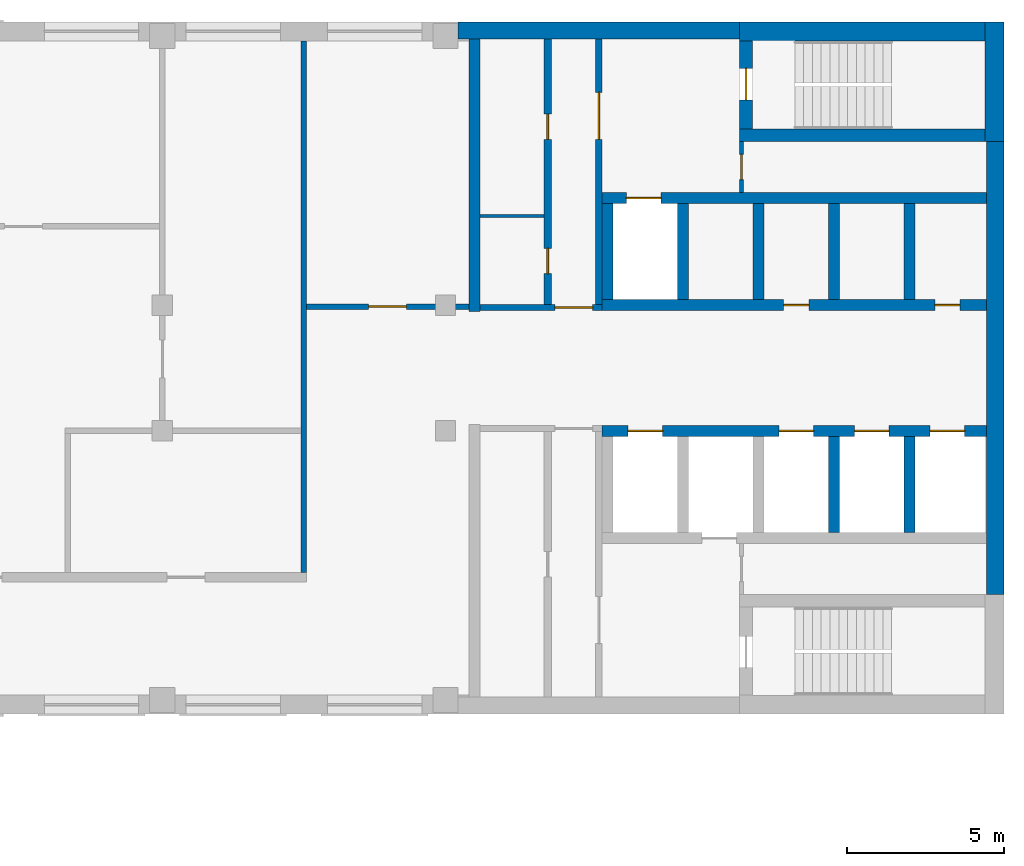
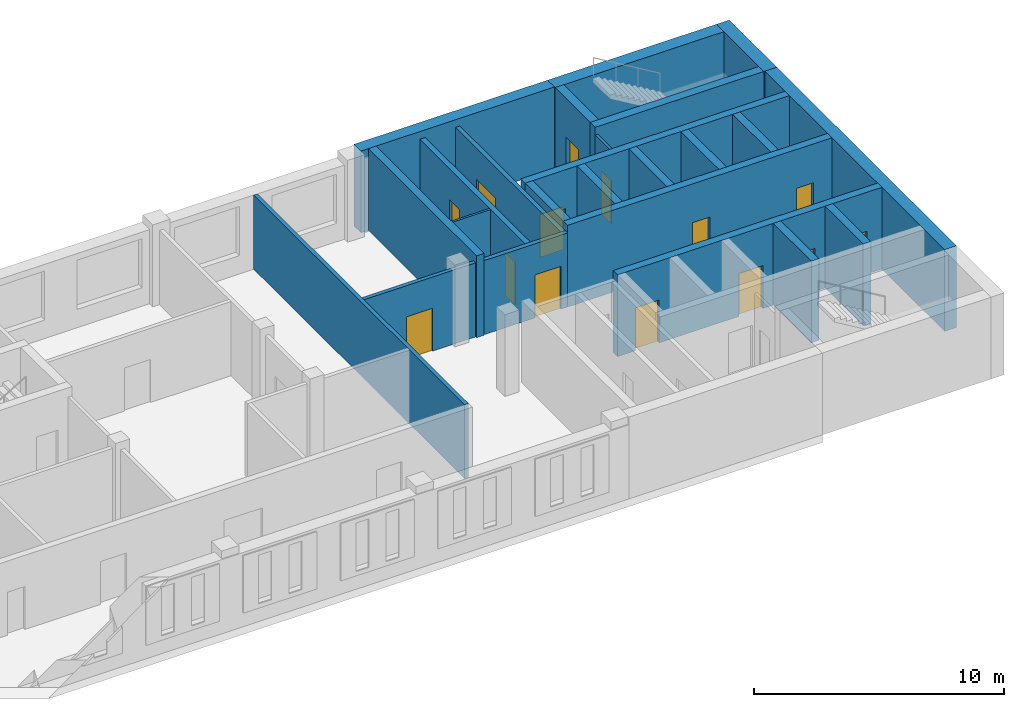
# One storey, part 6 of 8: 24 walls, 14 doors, 14 openings.
"""IFC4 building model written with IfcOpenShell, lengths in metres."""

import ifcopenshell
import ifcopenshell.guid

model = None  # the IFC model being written
_history = None  # IfcOwnerHistory: only IFC2X3 demands one
_inside = {}  # id of a spatial element -> (the spatial element, [elements in it])
_under = {}  # id of a project, library or spatial element -> (it, [spatial elements below it])
_declared = {}  # id of a project -> (the project, [libraries it declares])
_typed = {}  # id of a type object -> (the type object, [elements of that type])
_made_of = {}  # id of a material, layer set ... -> (it, [elements and type objects made of it])


def new_model(schema):
    """Start an empty IFC model of exactly this schema.

    Asked for "IFC4X3", IfcOpenShell would pick the latest addendum, in which some entities
    have other attributes; the version numbers below select the first issue.
    IFC2X3 requires an IfcOwnerHistory on every rooted entity: one is made here for all.
    """
    global model, _history
    if schema == "IFC4X3":
        model = ifcopenshell.file(schema_version=(4, 3, 0, 0))
    else:
        model = ifcopenshell.file(schema=schema)
    _inside.clear()
    _under.clear()
    _declared.clear()
    _typed.clear()
    _made_of.clear()
    _history = None
    if model.schema == "IFC2X3":
        org = make("IfcOrganization", Name="unknown")
        user = make(
            "IfcPersonAndOrganization",
            ThePerson=make("IfcPerson", FamilyName="unknown"),
            TheOrganization=org,
        )
        app = make(
            "IfcApplication",
            ApplicationDeveloper=org,
            Version="unknown",
            ApplicationFullName="unknown",
            ApplicationIdentifier="unknown",
        )
        _history = make(
            "IfcOwnerHistory",
            OwningUser=user,
            OwningApplication=app,
            ChangeAction="ADDED",
            CreationDate=0,
        )
    return model


def make(cls, **values):
    """One entity of the class cls with the attributes given. An attribute that is None is left unset."""
    return model.create_entity(
        cls, **{name: value for name, value in values.items() if value is not None}
    )


def rooted(cls, **values):
    """An entity with a GlobalId (a new one), such as an element, a storey or a relation."""
    return make(cls, GlobalId=ifcopenshell.guid.new(), OwnerHistory=_history, **values)


def si_unit(unit_type, name, prefix=None):
    """IfcSIUnit, for example si_unit("LENGTHUNIT", "METRE", prefix="MILLI")."""
    return make("IfcSIUnit", UnitType=unit_type, Prefix=prefix, Name=name)


def assignment(units):
    """IfcUnitAssignment: the units of a project."""
    return None if units is None else make("IfcUnitAssignment", Units=units)


def point(xyz):
    """IfcCartesianPoint."""
    return None if xyz is None else make("IfcCartesianPoint", Coordinates=xyz)


def direction(xyz):
    """IfcDirection."""
    return None if xyz is None else make("IfcDirection", DirectionRatios=xyz)


def frame(location, z_axis=None, x_axis=None):
    """IfcAxis2Placement3D, a coordinate frame: its origin and axes. An axis left out is left unset."""
    return make(
        "IfcAxis2Placement3D",
        Location=point(location),
        Axis=direction(z_axis),
        RefDirection=direction(x_axis),
    )


def frame_2d(location, x_axis=None):
    """IfcAxis2Placement2D, a coordinate frame in the plane: its origin and x axis."""
    return make(
        "IfcAxis2Placement2D", Location=point(location), RefDirection=direction(x_axis)
    )


def origin():
    """The frame at (0, 0, 0) with its axes left unset."""
    return frame((0.0, 0.0, 0.0))


def place(relative_to, where):
    """IfcLocalPlacement: puts the frame where relative to a parent placement (None: the world)."""
    return make(
        "IfcLocalPlacement", PlacementRelTo=relative_to, RelativePlacement=where
    )


def context(
    kind, dimensions, precision=None, world=None, true_north=None, identifier=None
):
    """IfcGeometricRepresentationContext, for example the 3D "Model" context."""
    return make(
        "IfcGeometricRepresentationContext",
        ContextIdentifier=identifier,
        ContextType=kind,
        CoordinateSpaceDimension=dimensions,
        Precision=precision,
        WorldCoordinateSystem=world,
        TrueNorth=true_north,
    )


def subcontext(parent, identifier, kind, view, scale=None):
    """IfcGeometricRepresentationSubContext, for example "Body" below "Model"."""
    return make(
        "IfcGeometricRepresentationSubContext",
        ContextIdentifier=identifier,
        ContextType=kind,
        ParentContext=parent,
        TargetScale=scale,
        TargetView=view,
    )


def project(units=None, contexts=None):
    """IfcProject with its units and contexts."""
    return rooted(
        "IfcProject",
        Name="project",
        RepresentationContexts=contexts,
        UnitsInContext=assignment(units),
    )


def spatial(cls, under=None, at=None, **own):
    """A site, building, storey or space (cls), placed at a placement, below another one or the project."""
    s = rooted(cls, ObjectPlacement=at, **own)
    if under is not None:
        _under.setdefault(under.id(), (under, []))[1].append(s)
    return s


def profile(cls, at=None, kind="AREA", **sizes):
    """A parametric profile (cls). Its sizes go by their IFC names, for example OverallWidth=200.0."""
    return make(cls, ProfileType=kind, Position=at, **sizes)


def rectangle(**sizes):
    """IfcRectangleProfileDef."""
    return profile("IfcRectangleProfileDef", **sizes)


def extrude(swept, where, along, depth):
    """IfcExtrudedAreaSolid: the profile swept, set in the frame where, extruded along a direction by depth."""
    return make(
        "IfcExtrudedAreaSolid",
        SweptArea=swept,
        Position=where,
        ExtrudedDirection=direction(along),
        Depth=depth,
    )


def shape(context_of_items, identifier, shape_type, items):
    """IfcShapeRepresentation: the items that make up one representation, for example the "Body"."""
    return make(
        "IfcShapeRepresentation",
        ContextOfItems=context_of_items,
        RepresentationIdentifier=identifier,
        RepresentationType=shape_type,
        Items=items,
    )


def material(Name=None, Category=None):
    """IfcMaterial."""
    return make("IfcMaterial", Name=Name, Category=Category)


def layer(
    of_material, thickness, ventilated=None, Name=None, Category=None, Priority=None
):
    """IfcMaterialLayer: one layer of a wall or slab, of a material (None: an air gap)."""
    return make(
        "IfcMaterialLayer",
        Material=of_material,
        LayerThickness=thickness,
        IsVentilated=ventilated,
        Name=Name,
        Category=Category,
        Priority=Priority,
    )


def layer_set(layers, Name=None):
    """IfcMaterialLayerSet."""
    return make("IfcMaterialLayerSet", MaterialLayers=layers, LayerSetName=Name)


def made_of(thing, what):
    """Note that an element or type object is made of a material, layer set ...; save() writes the relation."""
    if what is not None:
        _made_of.setdefault(what.id(), (what, []))[1].append(thing)
    return thing


def type_object(cls, material=None, **own):
    """A type object (cls), such as IfcWallType, which elements share."""
    return made_of(rooted(cls, **own), material)


def element(
    cls,
    number,
    at=None,
    inside=None,
    cuts=None,
    type_object=None,
    material=None,
    context=None,
    identifier="Body",
    shape_type=None,
    held_by="IfcProductDefinitionShape",
    body=None,
    shapes=None,
    **own,
):
    """One element of the class cls, such as IfcWall. Its Tag is "e" and its number.

    at: its placement. inside: the storey or other place that contains it. cuts: it is an
    opening in that element (IfcRelVoidsElement). A single representation is given by context,
    identifier, shape_type and body (its items); several are given by shapes. held_by: the class
    of the entity that holds the representations. save() writes the other relations.
    """
    e = rooted(cls, Tag="e%d" % number, ObjectPlacement=at, **own)
    if body is not None:
        shapes = [shape(context, identifier, shape_type, body)]
    if shapes is not None:
        e.Representation = make(held_by, Representations=shapes)
    if inside is not None:
        _inside.setdefault(inside.id(), (inside, []))[1].append(e)
    if cuts is not None:
        rooted(
            "IfcRelVoidsElement", RelatingBuildingElement=cuts, RelatedOpeningElement=e
        )
    if type_object is not None:
        _typed.setdefault(type_object.id(), (type_object, []))[1].append(e)
    return made_of(e, material)


def fill(opening, filler):
    """IfcRelFillsElement: the door or window that sits in an opening."""
    return rooted(
        "IfcRelFillsElement",
        RelatingOpeningElement=opening,
        RelatedBuildingElement=filler,
    )


def aggregate(whole, parts):
    """IfcRelAggregates: a whole, such as a stair, and the parts it consists of."""
    return rooted("IfcRelAggregates", RelatingObject=whole, RelatedObjects=parts)


def save(model, path):
    """Write the relations noted so far, then the file.

    IfcRelAggregates (storeys below a building ...), IfcRelContainedInSpatialStructure (elements
    in a storey), IfcRelDefinesByType, IfcRelAssociatesMaterial and IfcRelDeclares: one each for
    every whole, place, type object, material and project.
    """
    for whole, parts in _under.values():
        aggregate(whole, parts)
    for where, things in _inside.values():
        rooted(
            "IfcRelContainedInSpatialStructure",
            RelatedElements=things,
            RelatingStructure=where,
        )
    for kind, things in _typed.values():
        rooted("IfcRelDefinesByType", RelatedObjects=things, RelatingType=kind)
    for what, things in _made_of.values():
        rooted("IfcRelAssociatesMaterial", RelatedObjects=things, RelatingMaterial=what)
    for by, libraries in _declared.values():
        rooted("IfcRelDeclares", RelatingContext=by, RelatedDefinitions=libraries)
    model.write(path)


model = new_model("IFC4")

# Units and contexts
model_context = context("Model", 3, precision=1e-05, world=origin(), true_north=direction((0.0, 1.0)))
body_context = subcontext(model_context, "Body", "Model", "MODEL_VIEW")
ifc_project = project(units=[si_unit("LENGTHUNIT", "METRE"), si_unit("AREAUNIT", "SQUARE_METRE"), si_unit("VOLUMEUNIT", "CUBIC_METRE"), si_unit("PLANEANGLEUNIT", "RADIAN"), si_unit("MASSUNIT", "GRAM", prefix="KILO")], contexts=[model_context])

# Site, building, storey
site_placement = place(None, origin())
site = spatial("IfcSite", under=ifc_project, at=site_placement, CompositionType="ELEMENT")
building_placement = place(site_placement, origin())
building = spatial("IfcBuilding", under=site, at=building_placement, Name="Skarvind Civic Tower", CompositionType="ELEMENT")
storey_placement = place(building_placement, frame((0.0, 0.0, 162.5)))
storey = spatial("IfcBuildingStorey", under=building, at=storey_placement, Name="L38", CompositionType="ELEMENT", Elevation=162.5)

# Wall
ifc_material_1 = material(Name="Acoustic gypsum board on steel studs", Category="steel")
ifc_layer_1 = layer(ifc_material_1, 0.175048828125)
ifc_layer_set_1 = layer_set([ifc_layer_1], Name="ACOUSTIC MEETING-ROOM PARTITION 175")
wall_type_1 = type_object("IfcWallType", Name="ACOUSTIC MEETING-ROOM PARTITION 175", PredefinedType="PARTITIONING", material=ifc_layer_set_1)
wall_1_placement = place(storey_placement, frame((85.75, 121.5, 0.0), z_axis=(0.0, 0.0, 1.0), x_axis=(0.0, 1.0, 0.0)))
element("IfcWall", 1, at=wall_1_placement, inside=storey, type_object=wall_type_1, Name="Partition 38.039", PredefinedType="PARTITIONING", context=body_context, shape_type="SweptSolid", body=[
    extrude(rectangle(XDim=16.89990234375, YDim=0.175048828125, at=frame_2d((8.449951171875, 0.0))), origin(), (0.0, 0.0, 1.0), 3.625),
])

# Wall, opening, door
wall_2_placement = place(storey_placement, frame((85.837890625, 129.949951171875, 0.0), z_axis=(0.0, 0.0, 1.0), x_axis=(1.0, 0.0, 0.0)))
wall_2 = element("IfcWall", 2, at=wall_2_placement, inside=storey, type_object=wall_type_1, Name="Partition 38.040", PredefinedType="PARTITIONING", context=body_context, shape_type="SweptSolid", body=[
    extrude(rectangle(XDim=5.162109375, YDim=0.175048828125, at=frame_2d((2.5810546875, 0.0))), origin(), (0.0, 0.0, 1.0), 3.625),
])
opening_1_placement = place(wall_2_placement, frame((1.970947265625, 0.0, 0.0)))
opening_1 = element("IfcOpeningElement", 3, at=opening_1_placement, cuts=wall_2, Name="Opening L38-D001", PredefinedType="OPENING", context=body_context, shape_type="SweptSolid", body=[
    extrude(rectangle(XDim=1.199951171875, YDim=2.10009765625, at=frame_2d((0.60009765625, 1.050048828125))), frame((0.0, 0.097412109375, 0.0), z_axis=(0.0, -1.0, 0.0), x_axis=(1.0, 0.0, 0.0)), (0.0, 0.0, 1.0), 0.195068359375),
])
ifc_material_2 = material(Name="Timber door leaf", Category="wood")
door_type_1 = type_object("IfcDoorType", Name="DOOR 1200X2100 DOUBLE TIMBER", OperationType="NOTDEFINED", PredefinedType="DOOR", material=ifc_material_2)
door_1_placement = place(opening_1_placement, origin())
door_1 = element("IfcDoor", 4, at=door_1_placement, inside=storey, type_object=door_type_1, Name="Door L38-D001", OperationType="DOUBLE_DOOR_SINGLE_SWING", OverallHeight=2.10009765625, OverallWidth=1.199951171875, PredefinedType="DOOR", context=body_context, shape_type="SweptSolid", body=[
    extrude(rectangle(XDim=1.199951171875, YDim=2.10009765625, at=frame_2d((0.60009765625, 1.050048828125))), frame((0.0, 0.02490234375, 0.0), z_axis=(0.0, -1.0, 0.0), x_axis=(1.0, 0.0, 0.0)), (0.0, 0.0, 1.0), 0.050048828125),
])
fill(opening_1, door_1)

ifc_material_3 = material(Name="Fire-rated masonry partition", Category="masonry")
ifc_layer_2 = layer(ifc_material_3, 0.199951171875)
ifc_layer_set_2 = layer_set([ifc_layer_2], Name="Core enclosure wall 200")
wall_type_2 = type_object("IfcWallType", Name="Core enclosure wall 200", PredefinedType="PARTITIONING", material=ifc_layer_set_2)
wall_3_placement = place(storey_placement, frame((91.35009765625, 129.925048828125, 0.0), z_axis=(0.0, 0.0, 1.0), x_axis=(1.0, 0.0, 0.0)))
wall_3 = element("IfcWall", 5, at=wall_3_placement, inside=storey, type_object=wall_type_2, Name="Core wall C1", PredefinedType="PARTITIONING", context=body_context, shape_type="SweptSolid", body=[
    extrude(rectangle(XDim=3.875, YDim=0.199951171875, at=frame_2d((1.9375, 0.0))), origin(), (0.0, 0.0, 1.0), 3.625),
])
opening_2_placement = place(wall_3_placement, frame((2.375, 0.0, 0.0)))
opening_2 = element("IfcOpeningElement", 6, at=opening_2_placement, cuts=wall_3, Name="Opening D-L38-C1-12", PredefinedType="OPENING", context=body_context, shape_type="SweptSolid", body=[
    extrude(rectangle(XDim=1.199951171875, YDim=2.10009765625, at=frame_2d((0.60009765625, 1.050048828125))), frame((0.0, 0.10986328125, 0.0), z_axis=(0.0, -1.0, 0.0), x_axis=(1.0, 0.0, 0.0)), (0.0, 0.0, 1.0), 0.219970703125),
])
ifc_material_4 = material(Name="Fire-rated steel door", Category="steel")
door_type_2 = type_object("IfcDoorType", Name="Core lobby door 1200", OperationType="NOTDEFINED", PredefinedType="DOOR", material=ifc_material_4)
door_2_placement = place(opening_2_placement, origin())
door_2 = element("IfcDoor", 7, at=door_2_placement, inside=storey, type_object=door_type_2, Name="Fire door", OperationType="DOUBLE_DOOR_SINGLE_SWING", OverallHeight=2.10009765625, OverallWidth=1.199951171875, PredefinedType="DOOR", context=body_context, shape_type="SweptSolid", body=[
    extrude(rectangle(XDim=1.199951171875, YDim=2.10009765625, at=frame_2d((0.60009765625, 1.050048828125))), frame((0.0, 0.02490234375, 0.0), z_axis=(0.0, -1.0, 0.0), x_axis=(1.0, 0.0, 0.0)), (0.0, 0.0, 1.0), 0.050048828125),
])
fill(opening_2, door_2)

wall_4_placement = place(storey_placement, frame((95.125, 130.02490234375, 0.0), z_axis=(0.0, 0.0, 1.0), x_axis=(0.0, 1.0, 0.0)))
wall_4 = element("IfcWall", 8, at=wall_4_placement, inside=storey, type_object=wall_type_2, Name="Core wall C1", PredefinedType="PARTITIONING", context=body_context, shape_type="SweptSolid", body=[
    extrude(rectangle(XDim=8.425048828125, YDim=0.199951171875, at=frame_2d((4.21240234375, 0.0))), origin(), (0.0, 0.0, 1.0), 3.625),
])
opening_3_placement = place(wall_4_placement, frame((5.237548828125, 0.0, 0.0)))
opening_3 = element("IfcOpeningElement", 9, at=opening_3_placement, cuts=wall_4, Name="Opening D-L38-C1-13", PredefinedType="OPENING", context=body_context, shape_type="SweptSolid", body=[
    extrude(rectangle(XDim=1.5, YDim=2.10009765625, at=frame_2d((0.75, 1.050048828125))), frame((0.0, 0.10986328125, 0.0), z_axis=(0.0, -1.0, 0.0), x_axis=(1.0, 0.0, 0.0)), (0.0, 0.0, 1.0), 0.219970703125),
])
door_type_3 = type_object("IfcDoorType", Name="Fire door 1500", OperationType="NOTDEFINED", PredefinedType="DOOR", material=ifc_material_4)
door_3_placement = place(opening_3_placement, origin())
door_3 = element("IfcDoor", 10, at=door_3_placement, inside=storey, type_object=door_type_3, Name="Fire door", OperationType="DOUBLE_DOOR_SINGLE_SWING", OverallHeight=2.10009765625, OverallWidth=1.5, PredefinedType="DOOR", context=body_context, shape_type="SweptSolid", body=[
    extrude(rectangle(XDim=1.5, YDim=2.10009765625, at=frame_2d((0.75, 1.050048828125))), frame((0.0, 0.02490234375, 0.0), z_axis=(0.0, -1.0, 0.0), x_axis=(1.0, 0.0, 0.0)), (0.0, 0.0, 1.0), 0.050048828125),
])
fill(opening_3, door_3)

# Wall
ifc_material_5 = material(Name="Fire-rated plasterboard partition")
ifc_layer_3 = layer(ifc_material_5, 0.10009765625)
ifc_layer_set_3 = layer_set([ifc_layer_3], Name="Core partition wall 100")
wall_type_3 = type_object("IfcWallType", Name="Core partition wall 100", PredefinedType="PARTITIONING", material=ifc_layer_set_3)
wall_5_placement = place(storey_placement, frame((91.35009765625, 132.830078125, 0.0), z_axis=(0.0, 0.0, 1.0), x_axis=(1.0, 0.0, 0.0)))
element("IfcWall", 11, at=wall_5_placement, inside=storey, type_object=wall_type_3, Name="Core wall C1", PredefinedType="PARTITIONING", context=body_context, shape_type="SweptSolid", body=[
    extrude(rectangle(XDim=2.02490234375, YDim=0.10009765625, at=frame_2d((1.012451171875, 0.0))), origin(), (0.0, 0.0, 1.0), 3.625),
])

# Wall, openings, doors
ifc_material_6 = material(Name="Concrete C60", Category="concrete")
ifc_layer_4 = layer(ifc_material_6, 0.35009765625)
ifc_layer_set_4 = layer_set([ifc_layer_4], Name="Core wall 350 C60")
wall_type_4 = type_object("IfcWallType", Name="Core wall 350 C60", PredefinedType="SHEAR", material=ifc_layer_set_4)
wall_6_placement = place(storey_placement, frame((107.449951171875, 130.0, 0.0), z_axis=(0.0, 0.0, 1.0), x_axis=(-1.0, 0.0, 0.0)))
wall_6 = element("IfcWall", 12, at=wall_6_placement, inside=storey, type_object=wall_type_4, Name="Core wall C1 south lift row front L38", PredefinedType="SHEAR", context=body_context, shape_type="SweptSolid", body=[
    extrude(rectangle(XDim=12.224853515625, YDim=0.35009765625, at=frame_2d((6.1123046875, 0.0))), origin(), (0.0, 0.0, 1.0), 4.0),
])
opening_4_placement = place(wall_6_placement, frame((0.85009765625, 0.0, 0.0)))
opening_4 = element("IfcOpeningElement", 13, at=opening_4_placement, cuts=wall_6, Name="Opening D-L38-C1-05", PredefinedType="OPENING", context=body_context, shape_type="SweptSolid", body=[
    extrude(rectangle(XDim=0.800048828125, YDim=2.10009765625, at=frame_2d((0.39990234375, 1.050048828125))), frame((0.0, 0.18505859375, 0.0), z_axis=(0.0, -1.0, 0.0), x_axis=(1.0, 0.0, 0.0)), (0.0, 0.0, 1.0), 0.3701171875),
])
opening_5_placement = place(wall_6_placement, frame((5.64990234375, 0.0, 0.0)))
opening_5 = element("IfcOpeningElement", 14, at=opening_5_placement, cuts=wall_6, Name="Opening D-L38-C1-06", PredefinedType="OPENING", context=body_context, shape_type="SweptSolid", body=[
    extrude(rectangle(XDim=0.800048828125, YDim=2.10009765625, at=frame_2d((0.39990234375, 1.050048828125))), frame((0.0, 0.18505859375, 0.0), z_axis=(0.0, -1.0, 0.0), x_axis=(1.0, 0.0, 0.0)), (0.0, 0.0, 1.0), 0.3701171875),
])
door_type_4 = type_object("IfcDoorType", Name="Core riser door 800", OperationType="NOTDEFINED", PredefinedType="DOOR", material=ifc_material_4)
door_4_placement = place(opening_4_placement, origin())
door_4 = element("IfcDoor", 15, at=door_4_placement, inside=storey, type_object=door_type_4, Name="Riser door", OperationType="SINGLE_SWING_LEFT", OverallHeight=2.10009765625, OverallWidth=0.800048828125, PredefinedType="DOOR", context=body_context, shape_type="SweptSolid", body=[
    extrude(rectangle(XDim=0.800048828125, YDim=2.10009765625, at=frame_2d((0.39990234375, 1.050048828125))), frame((0.0, 0.02490234375, 0.0), z_axis=(0.0, -1.0, 0.0), x_axis=(1.0, 0.0, 0.0)), (0.0, 0.0, 1.0), 0.050048828125),
])
fill(opening_4, door_4)
door_5_placement = place(opening_5_placement, origin())
door_5 = element("IfcDoor", 16, at=door_5_placement, inside=storey, type_object=door_type_4, Name="Riser door", OperationType="SINGLE_SWING_RIGHT", OverallHeight=2.10009765625, OverallWidth=0.800048828125, PredefinedType="DOOR", context=body_context, shape_type="SweptSolid", body=[
    extrude(rectangle(XDim=0.800048828125, YDim=2.10009765625, at=frame_2d((0.39990234375, 1.050048828125))), frame((0.0, 0.02490234375, 0.0), z_axis=(0.0, -1.0, 0.0), x_axis=(1.0, 0.0, 0.0)), (0.0, 0.0, 1.0), 0.050048828125),
])
fill(opening_5, door_5)

# Wall, opening, door
wall_7_placement = place(storey_placement, frame((107.449951171875, 133.39990234375, 0.0), z_axis=(0.0, 0.0, 1.0), x_axis=(-1.0, 0.0, 0.0)))
wall_7 = element("IfcWall", 17, at=wall_7_placement, inside=storey, type_object=wall_type_4, Name="Core wall C1 south lift row back L38", PredefinedType="SHEAR", context=body_context, shape_type="SweptSolid", body=[
    extrude(rectangle(XDim=12.224853515625, YDim=0.35009765625, at=frame_2d((6.1123046875, 0.0))), origin(), (0.0, 0.0, 1.0), 4.0),
])
opening_6_placement = place(wall_7_placement, frame((10.35009765625, 0.0, 0.0)))
opening_6 = element("IfcOpeningElement", 18, at=opening_6_placement, cuts=wall_7, Name="Opening LD40110", PredefinedType="OPENING", context=body_context, shape_type="SweptSolid", body=[
    extrude(rectangle(XDim=1.10009765625, YDim=2.10009765625, at=frame_2d((0.550048828125, 1.050048828125))), frame((0.0, 0.18505859375, 0.0), z_axis=(0.0, -1.0, 0.0), x_axis=(1.0, 0.0, 0.0)), (0.0, 0.0, 1.0), 0.3701171875),
])
ifc_material_7 = material(Name="Stainless steel landing door", Category="steel")
door_type_5 = type_object("IfcDoorType", Name="Lift landing door 1100", OperationType="DOUBLE_DOOR_SLIDING", PredefinedType="DOOR", material=ifc_material_7)
door_6_placement = place(opening_6_placement, origin())
door_6 = element("IfcDoor", 19, at=door_6_placement, inside=storey, type_object=door_type_5, Name="Lift landing door", OperationType="DOUBLE_DOOR_SLIDING", OverallHeight=2.10009765625, OverallWidth=1.10009765625, PredefinedType="DOOR", context=body_context, shape_type="SweptSolid", body=[
    extrude(rectangle(XDim=1.10009765625, YDim=2.10009765625, at=frame_2d((0.550048828125, 1.050048828125))), frame((0.0, 0.02490234375, 0.0), z_axis=(0.0, -1.0, 0.0), x_axis=(1.0, 0.0, 0.0)), (0.0, 0.0, 1.0), 0.050048828125),
])
fill(opening_6, door_6)

# Walls
for number, where, z_axis, x_axis, name in (
    (20, (105.0, 133.22509765625, 0.0), (0.0, 0.0, 1.0), (0.0, -1.0, 0.0), "Core wall C1 south lift row division 1 L38"),
    (21, (102.60009765625, 133.22509765625, 0.0), (0.0, 0.0, 1.0), (0.0, -1.0, 0.0), "Core wall C1 south lift row division 2 L38"),
    (22, (100.199951171875, 133.22509765625, 0.0), (0.0, 0.0, 1.0), (0.0, -1.0, 0.0), "Core wall C1 south lift row division 3 L38"),
    (23, (97.800048828125, 133.22509765625, 0.0), (0.0, 0.0, 1.0), (0.0, -1.0, 0.0), "Core wall C1 south lift row division 4 L38"),
    (24, (95.39990234375, 133.22509765625, 0.0), (0.0, 0.0, 1.0), (0.0, -1.0, 0.0), "Core wall C1 south lift row division 5 L38"),
):
    element("IfcWall", number, at=place(storey_placement, frame(where, z_axis=z_axis, x_axis=x_axis)), inside=storey, type_object=wall_type_4, Name=name, PredefinedType="SHEAR", context=body_context, shape_type="SweptSolid", body=[
        extrude(rectangle(XDim=3.050048828125, YDim=0.35009765625, at=frame_2d((1.52490234375, 0.0))), origin(), (0.0, 0.0, 1.0), 4.0),
    ])

# Wall, openings, doors
wall_8_placement = place(storey_placement, frame((107.449951171875, 126.0, 0.0), z_axis=(0.0, 0.0, 1.0), x_axis=(-1.0, 0.0, 0.0)))
wall_8 = element("IfcWall", 25, at=wall_8_placement, inside=storey, type_object=wall_type_4, Name="Core wall C1 north lift row front L38", PredefinedType="SHEAR", context=body_context, shape_type="SweptSolid", body=[
    extrude(rectangle(XDim=12.224853515625, YDim=0.35009765625, at=frame_2d((6.1123046875, 0.0))), origin(), (0.0, 0.0, 1.0), 4.0),
])
opening_7_placement = place(wall_8_placement, frame((0.699951171875, 0.0, 0.0)))
opening_7 = element("IfcOpeningElement", 26, at=opening_7_placement, cuts=wall_8, Name="Opening LD40101", PredefinedType="OPENING", context=body_context, shape_type="SweptSolid", body=[
    extrude(rectangle(XDim=1.10009765625, YDim=2.10009765625, at=frame_2d((0.550048828125, 1.050048828125))), frame((0.0, 0.18505859375, 0.0), z_axis=(0.0, -1.0, 0.0), x_axis=(1.0, 0.0, 0.0)), (0.0, 0.0, 1.0), 0.3701171875),
])
opening_8_placement = place(wall_8_placement, frame((3.10009765625, 0.0, 0.0)))
opening_8 = element("IfcOpeningElement", 27, at=opening_8_placement, cuts=wall_8, Name="Opening LD40102", PredefinedType="OPENING", context=body_context, shape_type="SweptSolid", body=[
    extrude(rectangle(XDim=1.10009765625, YDim=2.10009765625, at=frame_2d((0.550048828125, 1.050048828125))), frame((0.0, 0.18505859375, 0.0), z_axis=(0.0, -1.0, 0.0), x_axis=(1.0, 0.0, 0.0)), (0.0, 0.0, 1.0), 0.3701171875),
])
opening_9_placement = place(wall_8_placement, frame((5.5, 0.0, 0.0)))
opening_9 = element("IfcOpeningElement", 28, at=opening_9_placement, cuts=wall_8, Name="Opening LD40103", PredefinedType="OPENING", context=body_context, shape_type="SweptSolid", body=[
    extrude(rectangle(XDim=1.10009765625, YDim=2.10009765625, at=frame_2d((0.550048828125, 1.050048828125))), frame((0.0, 0.18505859375, 0.0), z_axis=(0.0, -1.0, 0.0), x_axis=(1.0, 0.0, 0.0)), (0.0, 0.0, 1.0), 0.3701171875),
])
opening_10_placement = place(wall_8_placement, frame((10.300048828125, 0.0, 0.0)))
opening_10 = element("IfcOpeningElement", 29, at=opening_10_placement, cuts=wall_8, Name="Opening LD40105", PredefinedType="OPENING", context=body_context, shape_type="SweptSolid", body=[
    extrude(rectangle(XDim=1.10009765625, YDim=2.10009765625, at=frame_2d((0.550048828125, 1.050048828125))), frame((0.0, 0.18505859375, 0.0), z_axis=(0.0, -1.0, 0.0), x_axis=(1.0, 0.0, 0.0)), (0.0, 0.0, 1.0), 0.3701171875),
])
door_7_placement = place(opening_7_placement, origin())
door_7 = element("IfcDoor", 30, at=door_7_placement, inside=storey, type_object=door_type_5, Name="Lift landing door", OperationType="DOUBLE_DOOR_SLIDING", OverallHeight=2.10009765625, OverallWidth=1.10009765625, PredefinedType="DOOR", context=body_context, shape_type="SweptSolid", body=[
    extrude(rectangle(XDim=1.10009765625, YDim=2.10009765625, at=frame_2d((0.550048828125, 1.050048828125))), frame((0.0, 0.02490234375, 0.0), z_axis=(0.0, -1.0, 0.0), x_axis=(1.0, 0.0, 0.0)), (0.0, 0.0, 1.0), 0.050048828125),
])
fill(opening_7, door_7)
door_8_placement = place(opening_8_placement, origin())
door_8 = element("IfcDoor", 31, at=door_8_placement, inside=storey, type_object=door_type_5, Name="Lift landing door", OperationType="DOUBLE_DOOR_SLIDING", OverallHeight=2.10009765625, OverallWidth=1.10009765625, PredefinedType="DOOR", context=body_context, shape_type="SweptSolid", body=[
    extrude(rectangle(XDim=1.10009765625, YDim=2.10009765625, at=frame_2d((0.550048828125, 1.050048828125))), frame((0.0, 0.02490234375, 0.0), z_axis=(0.0, -1.0, 0.0), x_axis=(1.0, 0.0, 0.0)), (0.0, 0.0, 1.0), 0.050048828125),
])
fill(opening_8, door_8)
door_9_placement = place(opening_9_placement, origin())
door_9 = element("IfcDoor", 32, at=door_9_placement, inside=storey, type_object=door_type_5, Name="Lift landing door", OperationType="DOUBLE_DOOR_SLIDING", OverallHeight=2.10009765625, OverallWidth=1.10009765625, PredefinedType="DOOR", context=body_context, shape_type="SweptSolid", body=[
    extrude(rectangle(XDim=1.10009765625, YDim=2.10009765625, at=frame_2d((0.550048828125, 1.050048828125))), frame((0.0, 0.02490234375, 0.0), z_axis=(0.0, -1.0, 0.0), x_axis=(1.0, 0.0, 0.0)), (0.0, 0.0, 1.0), 0.050048828125),
])
fill(opening_9, door_9)
door_10_placement = place(opening_10_placement, origin())
door_10 = element("IfcDoor", 33, at=door_10_placement, inside=storey, type_object=door_type_5, Name="Lift landing door", OperationType="DOUBLE_DOOR_SLIDING", OverallHeight=2.10009765625, OverallWidth=1.10009765625, PredefinedType="DOOR", context=body_context, shape_type="SweptSolid", body=[
    extrude(rectangle(XDim=1.10009765625, YDim=2.10009765625, at=frame_2d((0.550048828125, 1.050048828125))), frame((0.0, 0.02490234375, 0.0), z_axis=(0.0, -1.0, 0.0), x_axis=(1.0, 0.0, 0.0)), (0.0, 0.0, 1.0), 0.050048828125),
])
fill(opening_10, door_10)

# Walls
for number, where, z_axis, x_axis, name in (
    (34, (105.0, 125.824951171875, 0.0), (0.0, 0.0, 1.0), (0.0, -1.0, 0.0), "Core wall C1 north lift row division 1 L38"),
    (35, (102.60009765625, 125.824951171875, 0.0), (0.0, 0.0, 1.0), (0.0, -1.0, 0.0), "Core wall C1 north lift row division 2 L38"),
):
    element("IfcWall", number, at=place(storey_placement, frame(where, z_axis=z_axis, x_axis=x_axis)), inside=storey, type_object=wall_type_4, Name=name, PredefinedType="SHEAR", context=body_context, shape_type="SweptSolid", body=[
        extrude(rectangle(XDim=3.050048828125, YDim=0.35009765625, at=frame_2d((1.52490234375, 0.0))), origin(), (0.0, 0.0, 1.0), 4.0),
    ])
wall_9_placement = place(storey_placement, frame((91.175048828125, 138.449951171875, 0.0), z_axis=(0.0, 0.0, 1.0), x_axis=(0.0, -1.0, 0.0)))
element("IfcWall", 36, at=wall_9_placement, inside=storey, type_object=wall_type_4, Name="Core wall C1 south inner face L38", PredefinedType="SHEAR", context=body_context, shape_type="SweptSolid", body=[
    extrude(rectangle(XDim=8.64990234375, YDim=0.35009765625, at=frame_2d((4.324951171875, 0.0))), origin(), (0.0, 0.0, 1.0), 4.0),
])
ifc_layer_5 = layer(ifc_material_6, 0.39990234375)
ifc_layer_set_5 = layer_set([ifc_layer_5], Name="Core wall 400 C60")
wall_type_5 = type_object("IfcWallType", Name="Core wall 400 C60", PredefinedType="SHEAR", material=ifc_layer_set_5)
wall_10_placement = place(storey_placement, frame((107.39990234375, 135.39990234375, 0.0), z_axis=(0.0, 0.0, 1.0), x_axis=(-1.0, 0.0, 0.0)))
element("IfcWall", 37, at=wall_10_placement, inside=storey, type_object=wall_type_5, Name="Core wall C1 south stair inner L38", PredefinedType="SHEAR", context=body_context, shape_type="SweptSolid", body=[
    extrude(rectangle(XDim=7.7998046875, YDim=0.39990234375, at=frame_2d((3.89990234375, 0.0))), origin(), (0.0, 0.0, 1.0), 4.0),
])

# Wall, opening, door
wall_11_placement = place(storey_placement, frame((99.800048828125, 138.39990234375, 0.0), z_axis=(0.0, 0.0, 1.0), x_axis=(0.0, -1.0, 0.0)))
wall_11 = element("IfcWall", 38, at=wall_11_placement, inside=storey, type_object=wall_type_5, Name="Core wall C1 south stair end L38", PredefinedType="SHEAR", context=body_context, shape_type="SweptSolid", body=[
    extrude(rectangle(XDim=2.7998046875, YDim=0.39990234375, at=frame_2d((1.39990234375, 0.0))), origin(), (0.0, 0.0, 1.0), 4.0),
])
opening_11_placement = place(wall_11_placement, frame((0.875, 0.0, 0.0)))
opening_11 = element("IfcOpeningElement", 39, at=opening_11_placement, cuts=wall_11, Name="Opening D-L38-C1-14", PredefinedType="OPENING", context=body_context, shape_type="SweptSolid", body=[
    extrude(rectangle(XDim=1.0, YDim=2.10009765625, at=frame_2d((0.5, 1.050048828125))), frame((0.0, 0.2099609375, 0.0), z_axis=(0.0, -1.0, 0.0), x_axis=(1.0, 0.0, 0.0)), (0.0, 0.0, 1.0), 0.419921875),
])
door_type_6 = type_object("IfcDoorType", Name="Fire door 1000", OperationType="NOTDEFINED", PredefinedType="DOOR", material=ifc_material_4)
door_11_placement = place(opening_11_placement, origin())
door_11 = element("IfcDoor", 40, at=door_11_placement, inside=storey, type_object=door_type_6, Name="Fire door", OperationType="SINGLE_SWING_RIGHT", OverallHeight=2.10009765625, OverallWidth=1.0, PredefinedType="DOOR", context=body_context, shape_type="SweptSolid", body=[
    extrude(rectangle(XDim=1.0, YDim=2.10009765625, at=frame_2d((0.5, 1.050048828125))), frame((0.0, 0.02490234375, 0.0), z_axis=(0.0, -1.0, 0.0), x_axis=(1.0, 0.0, 0.0)), (0.0, 0.0, 1.0), 0.050048828125),
])
fill(opening_11, door_11)

# Walls
ifc_layer_6 = layer(ifc_material_6, 0.550048828125)
ifc_layer_set_6 = layer_set([ifc_layer_6], Name="Core wall 550 C60")
wall_type_6 = type_object("IfcWallType", Name="Core wall 550 C60", PredefinedType="SHEAR", material=ifc_layer_set_6)
wall_12_placement = place(storey_placement, frame((107.72509765625, 135.199951171875, 0.0), z_axis=(0.0, 0.0, 1.0), x_axis=(0.0, -1.0, 0.0)))
element("IfcWall", 41, at=wall_12_placement, inside=storey, type_object=wall_type_6, Name="Core wall C1 tip between the stairs L38", PredefinedType="SHEAR", context=body_context, shape_type="SweptSolid", body=[
    extrude(rectangle(XDim=14.39990234375, YDim=0.550048828125, at=frame_2d((7.199951171875, 0.0))), origin(), (0.0, 0.0, 1.0), 4.0),
])
wall_13_placement = place(storey_placement, frame((99.60009765625, 138.72509765625, 0.0), z_axis=(0.0, 0.0, 1.0), x_axis=(-1.0, 0.0, 0.0)))
element("IfcWall", 42, at=wall_13_placement, inside=storey, type_object=wall_type_6, Name="Core wall C1 south side L38", PredefinedType="SHEAR", context=body_context, shape_type="SweptSolid", body=[
    extrude(rectangle(XDim=8.9501953125, YDim=0.550048828125, at=frame_2d((4.47509765625, 0.0))), origin(), (0.0, 0.0, 1.0), 4.0),
])
ifc_layer_7 = layer(ifc_material_6, 0.60009765625)
ifc_layer_set_7 = layer_set([ifc_layer_7], Name="Core wall 600 C60")
wall_type_7 = type_object("IfcWallType", Name="Core wall 600 C60", PredefinedType="SHEAR", material=ifc_layer_set_7)
wall_14_placement = place(storey_placement, frame((107.699951171875, 139.0, 0.0), z_axis=(0.0, 0.0, 1.0), x_axis=(0.0, -1.0, 0.0)))
element("IfcWall", 43, at=wall_14_placement, inside=storey, type_object=wall_type_7, Name="Core wall C1 tip at the south stair L38", PredefinedType="SHEAR", context=body_context, shape_type="SweptSolid", body=[
    extrude(rectangle(XDim=3.800048828125, YDim=0.60009765625, at=frame_2d((1.89990234375, 0.0))), origin(), (0.0, 0.0, 1.0), 4.0),
])
wall_15_placement = place(storey_placement, frame((107.39990234375, 138.699951171875, 0.0), z_axis=(0.0, 0.0, 1.0), x_axis=(-1.0, 0.0, 0.0)))
element("IfcWall", 44, at=wall_15_placement, inside=storey, type_object=wall_type_7, Name="Core wall C1 south side at the stair L38", PredefinedType="SHEAR", context=body_context, shape_type="SweptSolid", body=[
    extrude(rectangle(XDim=7.7998046875, YDim=0.60009765625, at=frame_2d((3.89990234375, 0.0))), origin(), (0.0, 0.0, 1.0), 4.0),
])

# Wall, opening, door
ifc_layer_8 = layer(ifc_material_3, 0.125)
ifc_layer_set_8 = layer_set([ifc_layer_8], Name="Riser wall 125")
wall_type_8 = type_object("IfcWallType", Name="Riser wall 125", PredefinedType="PARTITIONING", material=ifc_layer_set_8)
wall_16_placement = place(storey_placement, frame((99.66259765625, 133.574951171875, 0.0), z_axis=(0.0, 0.0, 1.0), x_axis=(0.0, 1.0, 0.0)))
wall_16 = element("IfcWall", 45, at=wall_16_placement, inside=storey, type_object=wall_type_8, Name="Core wall C1", PredefinedType="PARTITIONING", context=body_context, shape_type="SweptSolid", body=[
    extrude(rectangle(XDim=1.625, YDim=0.125, at=frame_2d((0.8125, 0.0))), origin(), (0.0, 0.0, 1.0), 3.625),
])
opening_12_placement = place(wall_16_placement, frame((0.41259765625, 0.0, 0.0)))
opening_12 = element("IfcOpeningElement", 46, at=opening_12_placement, cuts=wall_16, Name="Opening D-L38-C1-15", PredefinedType="OPENING", context=body_context, shape_type="SweptSolid", body=[
    extrude(rectangle(XDim=0.800048828125, YDim=2.10009765625, at=frame_2d((0.39990234375, 1.050048828125))), frame((0.0, 0.072509765625, 0.0), z_axis=(0.0, -1.0, 0.0), x_axis=(1.0, 0.0, 0.0)), (0.0, 0.0, 1.0), 0.14501953125),
])
door_12_placement = place(opening_12_placement, origin())
door_12 = element("IfcDoor", 47, at=door_12_placement, inside=storey, type_object=door_type_4, Name="Riser door", OperationType="SINGLE_SWING_LEFT", OverallHeight=2.10009765625, OverallWidth=0.800048828125, PredefinedType="DOOR", context=body_context, shape_type="SweptSolid", body=[
    extrude(rectangle(XDim=0.800048828125, YDim=2.10009765625, at=frame_2d((0.39990234375, 1.050048828125))), frame((0.0, 0.02490234375, 0.0), z_axis=(0.0, -1.0, 0.0), x_axis=(1.0, 0.0, 0.0)), (0.0, 0.0, 1.0), 0.050048828125),
])
fill(opening_12, door_12)

# Wall, openings, doors
ifc_layer_9 = layer(ifc_material_3, 0.25)
ifc_layer_set_9 = layer_set([ifc_layer_9], Name="Service block wall 250")
wall_type_9 = type_object("IfcWallType", Name="Service block wall 250", PredefinedType="PARTITIONING", material=ifc_layer_set_9)
wall_17_placement = place(storey_placement, frame((93.5, 130.02490234375, 0.0), z_axis=(0.0, 0.0, 1.0), x_axis=(0.0, 1.0, 0.0)))
wall_17 = element("IfcWall", 48, at=wall_17_placement, inside=storey, type_object=wall_type_9, Name="Core wall C1", PredefinedType="PARTITIONING", context=body_context, shape_type="SweptSolid", body=[
    extrude(rectangle(XDim=8.425048828125, YDim=0.25, at=frame_2d((4.21240234375, 0.0))), origin(), (0.0, 0.0, 1.0), 3.625),
])
opening_13_placement = place(wall_17_placement, frame((0.9775390625, 0.0, 0.0)))
opening_13 = element("IfcOpeningElement", 49, at=opening_13_placement, cuts=wall_17, Name="Opening D-L38-C1-16", PredefinedType="OPENING", context=body_context, shape_type="SweptSolid", body=[
    extrude(rectangle(XDim=0.800048828125, YDim=2.10009765625, at=frame_2d((0.39990234375, 1.050048828125))), frame((0.0, 0.135009765625, 0.0), z_axis=(0.0, -1.0, 0.0), x_axis=(1.0, 0.0, 0.0)), (0.0, 0.0, 1.0), 0.27001953125),
])
opening_14_placement = place(wall_17_placement, frame((5.239990234375, 0.0, 0.0)))
opening_14 = element("IfcOpeningElement", 50, at=opening_14_placement, cuts=wall_17, Name="Opening D-L38-C1-17", PredefinedType="OPENING", context=body_context, shape_type="SweptSolid", body=[
    extrude(rectangle(XDim=0.800048828125, YDim=2.10009765625, at=frame_2d((0.39990234375, 1.050048828125))), frame((0.0, 0.135009765625, 0.0), z_axis=(0.0, -1.0, 0.0), x_axis=(1.0, 0.0, 0.0)), (0.0, 0.0, 1.0), 0.27001953125),
])
door_13_placement = place(opening_13_placement, origin())
door_13 = element("IfcDoor", 51, at=door_13_placement, inside=storey, type_object=door_type_4, Name="Riser door", OperationType="SINGLE_SWING_RIGHT", OverallHeight=2.10009765625, OverallWidth=0.800048828125, PredefinedType="DOOR", context=body_context, shape_type="SweptSolid", body=[
    extrude(rectangle(XDim=0.800048828125, YDim=2.10009765625, at=frame_2d((0.39990234375, 1.050048828125))), frame((0.0, 0.02490234375, 0.0), z_axis=(0.0, -1.0, 0.0), x_axis=(1.0, 0.0, 0.0)), (0.0, 0.0, 1.0), 0.050048828125),
])
fill(opening_13, door_13)
door_14_placement = place(opening_14_placement, origin())
door_14 = element("IfcDoor", 52, at=door_14_placement, inside=storey, type_object=door_type_4, Name="Riser door", OperationType="SINGLE_SWING_LEFT", OverallHeight=2.10009765625, OverallWidth=0.800048828125, PredefinedType="DOOR", context=body_context, shape_type="SweptSolid", body=[
    extrude(rectangle(XDim=0.800048828125, YDim=2.10009765625, at=frame_2d((0.39990234375, 1.050048828125))), frame((0.0, 0.02490234375, 0.0), z_axis=(0.0, -1.0, 0.0), x_axis=(1.0, 0.0, 0.0)), (0.0, 0.0, 1.0), 0.050048828125),
])
fill(opening_14, door_14)

save(model, "model.ifc")
